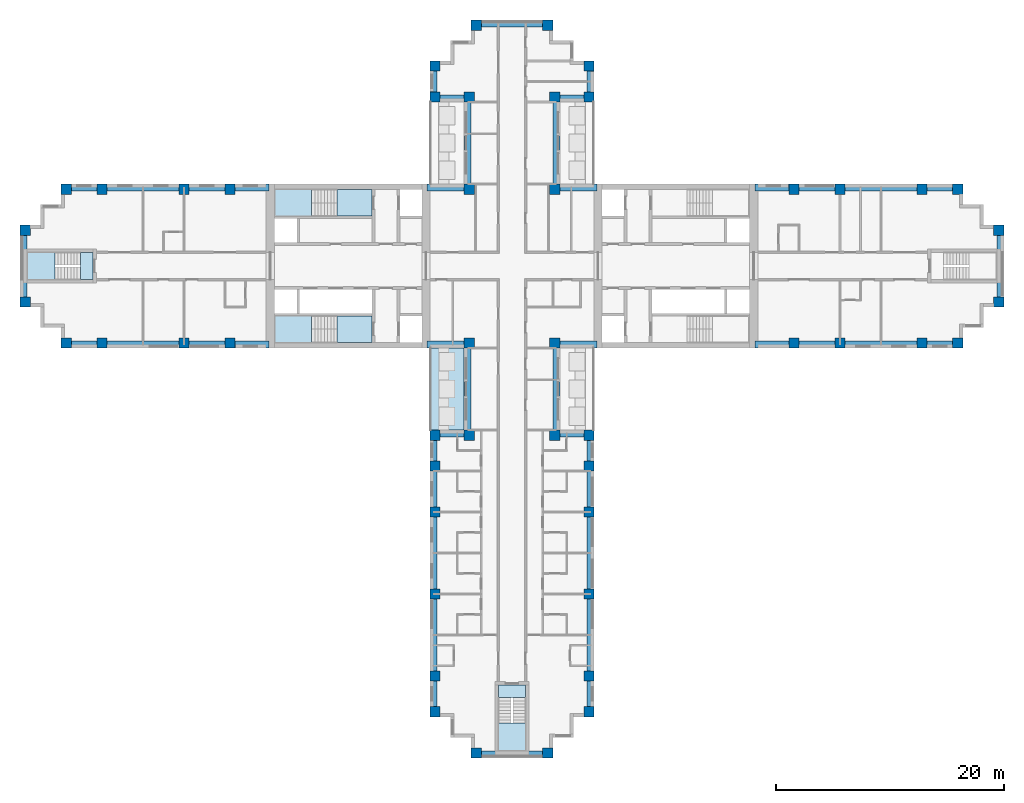
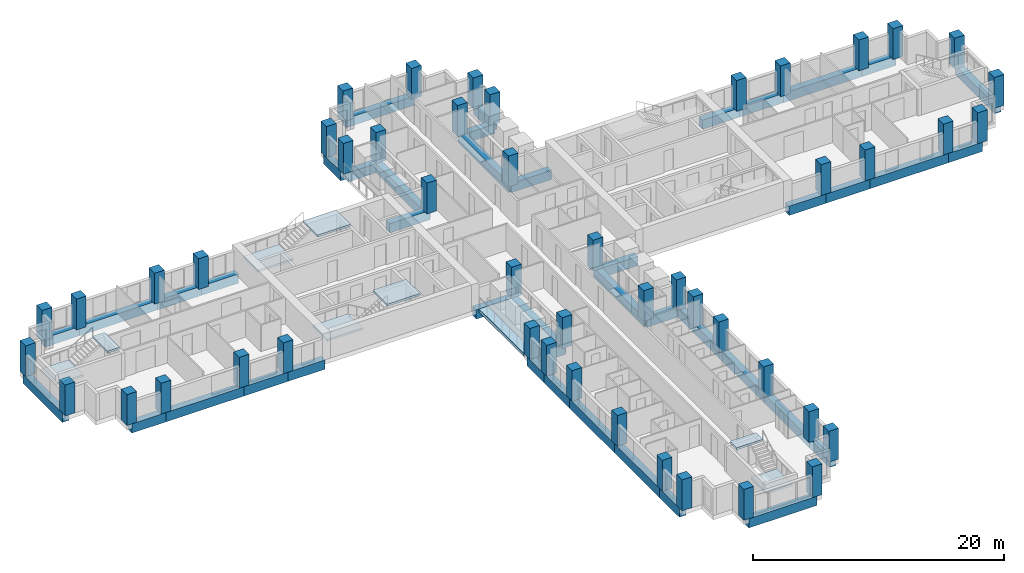
# One storey, part 1 of 14: 48 columns, 44 beams, 9 slabs, 4 elements without a shape of their own.
"""IFC4 building model written with IfcOpenShell, lengths in metres."""

from ifc_helpers import new_model, si_unit, direction, frame, origin, origin_2d, place, context, subcontext, project, spatial, polyline, rectangle, outline, extrude, material, layer, layer_set, material_profile, profile_set, type_object, element, aggregate, save


model = new_model("IFC4")

# Units and contexts
model_context = context("Model", 3, precision=1e-05, world=origin(), true_north=direction((0.0, 1.0)))
body_context = subcontext(model_context, "Body", "Model", "MODEL_VIEW")
ifc_project = project(units=[si_unit("LENGTHUNIT", "METRE"), si_unit("AREAUNIT", "SQUARE_METRE"), si_unit("VOLUMEUNIT", "CUBIC_METRE"), si_unit("PLANEANGLEUNIT", "RADIAN"), si_unit("MASSUNIT", "GRAM", prefix="KILO")], contexts=[model_context])

# Site, building, storey
site_placement = place(None, origin())
site = spatial("IfcSite", under=ifc_project, at=site_placement, CompositionType="ELEMENT")
building_placement = place(site_placement, origin())
building = spatial("IfcBuilding", under=site, at=building_placement, Name="Fustian Cross Tower", CompositionType="ELEMENT")
storey_placement = place(building_placement, frame((0.0, 0.0, 96.89990234375)))
storey = spatial("IfcBuildingStorey", under=building, at=storey_placement, Name="L30", CompositionType="ELEMENT", Elevation=96.89990234375)

# Columns
ifc_material_1 = material(Name="Concrete C60/75", Category="concrete")
ifc_material_profile_1 = material_profile(ifc_material_1, rectangle(XDim=0.89990234375, YDim=0.89990234375, at=origin_2d()), Name="RC 900x900")
ifc_profile_set_1 = profile_set([ifc_material_profile_1], Name="Concrete C60/75")
column_type = type_object("IfcColumnType", Name="COLUMN RC 900x900 C60/75", PredefinedType="COLUMN", material=ifc_profile_set_1)
for number, where, z_axis, x_axis, name in (
    (1, (-42.75, -3.14990234375, 0.0), (0.0, 0.0, 1.0), (1.0, 0.0, 0.0), "COLUMN 001"),
    (2, (-42.75, 3.14990234375, 0.0), (0.0, 0.0, 1.0), (1.0, 0.0, 0.0), "COLUMN 002"),
    (3, (-39.14990234375, -6.75, 0.0), (0.0, 0.0, 1.0), (1.0, 0.0, 0.0), "COLUMN 003"),
    (4, (-39.14990234375, 6.75, 0.0), (0.0, 0.0, 1.0), (1.0, 0.0, 0.0), "COLUMN 004"),
    (5, (-36.0, -6.75, 0.0), (0.0, 0.0, 1.0), (1.0, 0.0, 0.0), "COLUMN 005"),
    (6, (-36.0, 6.75, 0.0), (0.0, 0.0, 1.0), (1.0, 0.0, 0.0), "COLUMN 006"),
    (7, (-28.800048828125, -6.75, 0.0), (0.0, 0.0, 1.0), (1.0, 0.0, 0.0), "COLUMN 007"),
    (8, (-28.800048828125, 6.75, 0.0), (0.0, 0.0, 1.0), (1.0, 0.0, 0.0), "COLUMN 010"),
    (9, (-24.75, -6.75, 0.0), (0.0, 0.0, 1.0), (1.0, 0.0, 0.0), "COLUMN 011"),
    (10, (-24.75, 6.75, 0.0), (0.0, 0.0, 1.0), (1.0, 0.0, 0.0), "COLUMN 012"),
    (11, (-6.75, -39.14990234375, 0.0), (0.0, 0.0, 1.0), (1.0, 0.0, 0.0), "COLUMN 013"),
    (12, (-6.75, -36.0, 0.0), (0.0, 0.0, 1.0), (1.0, 0.0, 0.0), "COLUMN 014"),
    (13, (-6.75, -28.800048828125, 0.0), (0.0, 0.0, 1.0), (1.0, 0.0, 0.0), "COLUMN 015"),
    (14, (-6.75, -21.60009765625, 0.0), (0.0, 0.0, 1.0), (1.0, 0.0, 0.0), "COLUMN 016"),
    (15, (-6.75, -17.550048828125, 0.0), (0.0, 0.0, 1.0), (1.0, 0.0, 0.0), "COLUMN 017"),
    (16, (-6.75, -14.85009765625, 0.0), (0.0, 0.0, 1.0), (1.0, 0.0, 0.0), "COLUMN 018"),
    (17, (-6.75, 14.85009765625, 0.0), (0.0, 0.0, 1.0), (1.0, 0.0, 0.0), "COLUMN 019"),
    (18, (-6.75, 17.550048828125, 0.0), (0.0, 0.0, 1.0), (1.0, 0.0, 0.0), "COLUMN 020"),
    (19, (-3.75, -14.85009765625, 0.0), (0.0, 0.0, 1.0), (1.0, 0.0, 0.0), "COLUMN 025"),
    (20, (-3.75, -6.75, 0.0), (0.0, 0.0, 1.0), (1.0, 0.0, 0.0), "COLUMN 026"),
    (21, (-3.75, 6.75, 0.0), (0.0, 0.0, 1.0), (1.0, 0.0, 0.0), "COLUMN 027"),
    (22, (-3.75, 14.85009765625, 0.0), (0.0, 0.0, 1.0), (1.0, 0.0, 0.0), "COLUMN 028"),
    (23, (-3.14990234375, -42.75, 0.0), (0.0, 0.0, 1.0), (1.0, 0.0, 0.0), "COLUMN 029"),
    (24, (-3.14990234375, 21.14990234375, 0.0), (0.0, 0.0, 1.0), (1.0, 0.0, 0.0), "COLUMN 031"),
    (25, (3.14990234375, -42.75, 0.0), (0.0, 0.0, 1.0), (1.0, 0.0, 0.0), "COLUMN 033"),
    (26, (3.14990234375, 21.14990234375, 0.0), (0.0, 0.0, 1.0), (1.0, 0.0, 0.0), "COLUMN 035"),
    (27, (3.75, -14.85009765625, 0.0), (0.0, 0.0, 1.0), (1.0, 0.0, 0.0), "COLUMN 037"),
    (28, (3.75, -6.75, 0.0), (0.0, 0.0, 1.0), (1.0, 0.0, 0.0), "COLUMN 038"),
    (29, (3.75, 6.75, 0.0), (0.0, 0.0, 1.0), (1.0, 0.0, 0.0), "COLUMN 039"),
    (30, (3.75, 14.85009765625, 0.0), (0.0, 0.0, 1.0), (1.0, 0.0, 0.0), "COLUMN 040"),
    (31, (6.75, -39.14990234375, 0.0), (0.0, 0.0, 1.0), (1.0, 0.0, 0.0), "COLUMN 041"),
    (32, (6.75, -36.0, 0.0), (0.0, 0.0, 1.0), (1.0, 0.0, 0.0), "COLUMN 042"),
    (33, (6.75, -28.800048828125, 0.0), (0.0, 0.0, 1.0), (1.0, 0.0, 0.0), "COLUMN 043"),
    (34, (6.75, -21.60009765625, 0.0), (0.0, 0.0, 1.0), (1.0, 0.0, 0.0), "COLUMN 044"),
    (35, (6.75, -17.550048828125, 0.0), (0.0, 0.0, 1.0), (1.0, 0.0, 0.0), "COLUMN 045"),
    (36, (6.75, -14.85009765625, 0.0), (0.0, 0.0, 1.0), (1.0, 0.0, 0.0), "COLUMN 046"),
    (37, (6.75, 14.85009765625, 0.0), (0.0, 0.0, 1.0), (1.0, 0.0, 0.0), "COLUMN 047"),
    (38, (6.75, 17.550048828125, 0.0), (0.0, 0.0, 1.0), (1.0, 0.0, 0.0), "COLUMN 048"),
    (39, (24.75, -6.75, 0.0), (0.0, 0.0, 1.0), (1.0, 0.0, 0.0), "COLUMN 053"),
    (40, (24.75, 6.75, 0.0), (0.0, 0.0, 1.0), (1.0, 0.0, 0.0), "COLUMN 054"),
    (41, (28.800048828125, -6.75, 0.0), (0.0, 0.0, 1.0), (1.0, 0.0, 0.0), "COLUMN 055"),
    (42, (28.800048828125, 6.75, 0.0), (0.0, 0.0, 1.0), (1.0, 0.0, 0.0), "COLUMN 058"),
    (43, (36.0, -6.75, 0.0), (0.0, 0.0, 1.0), (1.0, 0.0, 0.0), "COLUMN 059"),
    (44, (36.0, 6.75, 0.0), (0.0, 0.0, 1.0), (1.0, 0.0, 0.0), "COLUMN 060"),
    (45, (39.14990234375, -6.75, 0.0), (0.0, 0.0, 1.0), (1.0, 0.0, 0.0), "COLUMN 061"),
    (46, (39.14990234375, 6.75, 0.0), (0.0, 0.0, 1.0), (1.0, 0.0, 0.0), "COLUMN 062"),
    (47, (42.75, -3.14990234375, 0.0), (0.0, 0.0, 1.0), (1.0, 0.0, 0.0), "COLUMN 063"),
    (48, (42.75, 3.14990234375, 0.0), (0.0, 0.0, 1.0), (1.0, 0.0, 0.0), "COLUMN 064"),
):
    element("IfcColumn", number, at=place(storey_placement, frame(where, z_axis=z_axis, x_axis=x_axis)), inside=storey, type_object=column_type, Name=name, PredefinedType="COLUMN", context=body_context, shape_type="SweptSolid", body=[
        extrude(rectangle(XDim=0.89990234375, YDim=0.89990234375, at=origin_2d()), origin(), (0.0, 0.0, 1.0), 3.0),
    ])

# Beams
ifc_material_2 = material(Name="Concrete C50/60", Category="concrete")
ifc_material_profile_2 = material_profile(ifc_material_2, rectangle(XDim=0.60009765625, YDim=0.89990234375, at=origin_2d()), Name="RC 600x900")
ifc_profile_set_2 = profile_set([ifc_material_profile_2], Name="Concrete C50/60")
beam_type = type_object("IfcBeamType", Name="EDGE BEAM RC 600x900 C50/60", PredefinedType="SPANDREL", material=ifc_profile_set_2)
beam_1_placement = place(storey_placement, frame((21.35009765625, -6.89990234375, -0.449951171875), z_axis=(1.0, 0.0, 0.0), x_axis=(0.0, 1.0, 0.0)))
element("IfcBeam", 49, at=beam_1_placement, inside=storey, type_object=beam_type, Name="EDGE BEAM L30-01", PredefinedType="SPANDREL", context=body_context, shape_type="SweptSolid", body=[
    extrude(rectangle(XDim=0.60009765625, YDim=0.89990234375, at=origin_2d()), origin(), (0.0, 0.0, 1.0), 3.39990234375),
])
beam_2_placement = place(storey_placement, frame((24.75, -6.89990234375, -0.449951171875), z_axis=(1.0, 0.0, 0.0), x_axis=(0.0, 1.0, 0.0)))
element("IfcBeam", 50, at=beam_2_placement, inside=storey, type_object=beam_type, Name="EDGE BEAM L30-02", PredefinedType="SPANDREL", context=body_context, shape_type="SweptSolid", body=[
    extrude(rectangle(XDim=0.60009765625, YDim=0.89990234375, at=origin_2d()), origin(), (0.0, 0.0, 1.0), 4.050048828125),
])
beam_3_placement = place(storey_placement, frame((28.800048828125, -6.89990234375, -0.449951171875), z_axis=(1.0, 0.0, 0.0), x_axis=(0.0, 1.0, 0.0)))
element("IfcBeam", 51, at=beam_3_placement, inside=storey, type_object=beam_type, Name="EDGE BEAM L30-03", PredefinedType="SPANDREL", context=body_context, shape_type="SweptSolid", body=[
    extrude(rectangle(XDim=0.60009765625, YDim=0.89990234375, at=origin_2d()), origin(), (0.0, 0.0, 1.0), 7.199951171875),
])
beam_4_placement = place(storey_placement, frame((36.0, -6.89990234375, -0.449951171875), z_axis=(1.0, 0.0, 0.0), x_axis=(0.0, 1.0, 0.0)))
element("IfcBeam", 52, at=beam_4_placement, inside=storey, type_object=beam_type, Name="EDGE BEAM L30-04", PredefinedType="SPANDREL", context=body_context, shape_type="SweptSolid", body=[
    extrude(rectangle(XDim=0.60009765625, YDim=0.89990234375, at=origin_2d()), origin(), (0.0, 0.0, 1.0), 3.14990234375),
])
beam_5_placement = place(storey_placement, frame((42.89990234375, -3.14990234375, -0.449951171875), z_axis=(0.0, 1.0, 0.0), x_axis=(-1.0, 0.0, 0.0)))
element("IfcBeam", 53, at=beam_5_placement, inside=storey, type_object=beam_type, Name="EDGE BEAM L30-05", PredefinedType="SPANDREL", context=body_context, shape_type="SweptSolid", body=[
    extrude(rectangle(XDim=0.60009765625, YDim=0.89990234375, at=origin_2d()), origin(), (0.0, 0.0, 1.0), 6.2998046875),
])
beam_6_placement = place(storey_placement, frame((39.14990234375, 6.89990234375, -0.449951171875), z_axis=(-1.0, 0.0, 0.0), x_axis=(0.0, -1.0, 0.0)))
element("IfcBeam", 54, at=beam_6_placement, inside=storey, type_object=beam_type, Name="EDGE BEAM L30-06", PredefinedType="SPANDREL", context=body_context, shape_type="SweptSolid", body=[
    extrude(rectangle(XDim=0.60009765625, YDim=0.89990234375, at=origin_2d()), origin(), (0.0, 0.0, 1.0), 3.14990234375),
])
beam_7_placement = place(storey_placement, frame((36.0, 6.89990234375, -0.449951171875), z_axis=(-1.0, 0.0, 0.0), x_axis=(0.0, -1.0, 0.0)))
element("IfcBeam", 55, at=beam_7_placement, inside=storey, type_object=beam_type, Name="EDGE BEAM L30-07", PredefinedType="SPANDREL", context=body_context, shape_type="SweptSolid", body=[
    extrude(rectangle(XDim=0.60009765625, YDim=0.89990234375, at=origin_2d()), origin(), (0.0, 0.0, 1.0), 7.199951171875),
])
beam_8_placement = place(storey_placement, frame((28.800048828125, 6.89990234375, -0.449951171875), z_axis=(-1.0, 0.0, 0.0), x_axis=(0.0, -1.0, 0.0)))
element("IfcBeam", 56, at=beam_8_placement, inside=storey, type_object=beam_type, Name="EDGE BEAM L30-08", PredefinedType="SPANDREL", context=body_context, shape_type="SweptSolid", body=[
    extrude(rectangle(XDim=0.60009765625, YDim=0.89990234375, at=origin_2d()), origin(), (0.0, 0.0, 1.0), 4.050048828125),
])
beam_9_placement = place(storey_placement, frame((24.75, 6.89990234375, -0.449951171875), z_axis=(-1.0, 0.0, 0.0), x_axis=(0.0, -1.0, 0.0)))
element("IfcBeam", 57, at=beam_9_placement, inside=storey, type_object=beam_type, Name="EDGE BEAM L30-09", PredefinedType="SPANDREL", context=body_context, shape_type="SweptSolid", body=[
    extrude(rectangle(XDim=0.60009765625, YDim=0.89990234375, at=origin_2d()), origin(), (0.0, 0.0, 1.0), 3.39990234375),
])
beam_10_placement = place(storey_placement, frame((7.449951171875, 6.89990234375, -0.449951171875), z_axis=(-1.0, 0.0, 0.0), x_axis=(0.0, -1.0, 0.0)))
element("IfcBeam", 58, at=beam_10_placement, inside=storey, type_object=beam_type, Name="EDGE BEAM L30-10", PredefinedType="SPANDREL", context=body_context, shape_type="SweptSolid", body=[
    extrude(rectangle(XDim=0.60009765625, YDim=0.89990234375, at=origin_2d()), origin(), (0.0, 0.0, 1.0), 3.699951171875),
])
beam_11_placement = place(storey_placement, frame((3.89990234375, 6.75, -0.449951171875), z_axis=(0.0, 1.0, 0.0), x_axis=(-1.0, 0.0, 0.0)))
element("IfcBeam", 59, at=beam_11_placement, inside=storey, type_object=beam_type, Name="EDGE BEAM L30-11", PredefinedType="SPANDREL", context=body_context, shape_type="SweptSolid", body=[
    extrude(rectangle(XDim=0.60009765625, YDim=0.89990234375, at=origin_2d()), origin(), (0.0, 0.0, 1.0), 8.10009765625),
])
beam_12_placement = place(storey_placement, frame((3.75, 14.699951171875, -0.449951171875), z_axis=(1.0, 0.0, 0.0), x_axis=(0.0, 1.0, 0.0)))
element("IfcBeam", 60, at=beam_12_placement, inside=storey, type_object=beam_type, Name="EDGE BEAM L30-12", PredefinedType="SPANDREL", context=body_context, shape_type="SweptSolid", body=[
    extrude(rectangle(XDim=0.60009765625, YDim=0.89990234375, at=origin_2d()), origin(), (0.0, 0.0, 1.0), 3.0),
])
beam_13_placement = place(storey_placement, frame((6.89990234375, 14.85009765625, -0.449951171875), z_axis=(0.0, 1.0, 0.0), x_axis=(-1.0, 0.0, 0.0)))
element("IfcBeam", 61, at=beam_13_placement, inside=storey, type_object=beam_type, Name="EDGE BEAM L30-13", PredefinedType="SPANDREL", context=body_context, shape_type="SweptSolid", body=[
    extrude(rectangle(XDim=0.60009765625, YDim=0.89990234375, at=origin_2d()), origin(), (0.0, 0.0, 1.0), 2.699951171875),
])
beam_14_placement = place(storey_placement, frame((3.14990234375, 21.300048828125, -0.449951171875), z_axis=(-1.0, 0.0, 0.0), x_axis=(0.0, -1.0, 0.0)))
element("IfcBeam", 62, at=beam_14_placement, inside=storey, type_object=beam_type, Name="EDGE BEAM L30-14", PredefinedType="SPANDREL", context=body_context, shape_type="SweptSolid", body=[
    extrude(rectangle(XDim=0.60009765625, YDim=0.89990234375, at=origin_2d()), origin(), (0.0, 0.0, 1.0), 6.2998046875),
])
beam_15_placement = place(storey_placement, frame((-6.89990234375, 17.550048828125, -0.449951171875), z_axis=(0.0, -1.0, 0.0), x_axis=(1.0, 0.0, 0.0)))
element("IfcBeam", 63, at=beam_15_placement, inside=storey, type_object=beam_type, Name="EDGE BEAM L30-15", PredefinedType="SPANDREL", context=body_context, shape_type="SweptSolid", body=[
    extrude(rectangle(XDim=0.60009765625, YDim=0.89990234375, at=origin_2d()), origin(), (0.0, 0.0, 1.0), 2.699951171875),
])
beam_16_placement = place(storey_placement, frame((-6.75, 14.699951171875, -0.449951171875), z_axis=(1.0, 0.0, 0.0), x_axis=(0.0, 1.0, 0.0)))
element("IfcBeam", 64, at=beam_16_placement, inside=storey, type_object=beam_type, Name="EDGE BEAM L30-16", PredefinedType="SPANDREL", context=body_context, shape_type="SweptSolid", body=[
    extrude(rectangle(XDim=0.60009765625, YDim=0.89990234375, at=origin_2d()), origin(), (0.0, 0.0, 1.0), 3.0),
])
beam_17_placement = place(storey_placement, frame((-3.89990234375, 14.85009765625, -0.449951171875), z_axis=(0.0, -1.0, 0.0), x_axis=(1.0, 0.0, 0.0)))
element("IfcBeam", 65, at=beam_17_placement, inside=storey, type_object=beam_type, Name="EDGE BEAM L30-17", PredefinedType="SPANDREL", context=body_context, shape_type="SweptSolid", body=[
    extrude(rectangle(XDim=0.60009765625, YDim=0.89990234375, at=origin_2d()), origin(), (0.0, 0.0, 1.0), 8.10009765625),
])
beam_18_placement = place(storey_placement, frame((-3.75, 6.89990234375, -0.449951171875), z_axis=(-1.0, 0.0, 0.0), x_axis=(0.0, -1.0, 0.0)))
element("IfcBeam", 66, at=beam_18_placement, inside=storey, type_object=beam_type, Name="EDGE BEAM L30-18", PredefinedType="SPANDREL", context=body_context, shape_type="SweptSolid", body=[
    extrude(rectangle(XDim=0.60009765625, YDim=0.89990234375, at=origin_2d()), origin(), (0.0, 0.0, 1.0), 3.699951171875),
])
beam_19_placement = place(storey_placement, frame((-21.35009765625, 6.89990234375, -0.449951171875), z_axis=(-1.0, 0.0, 0.0), x_axis=(0.0, -1.0, 0.0)))
element("IfcBeam", 67, at=beam_19_placement, inside=storey, type_object=beam_type, Name="EDGE BEAM L30-19", PredefinedType="SPANDREL", context=body_context, shape_type="SweptSolid", body=[
    extrude(rectangle(XDim=0.60009765625, YDim=0.89990234375, at=origin_2d()), origin(), (0.0, 0.0, 1.0), 3.39990234375),
])
beam_20_placement = place(storey_placement, frame((-24.75, 6.89990234375, -0.449951171875), z_axis=(-1.0, 0.0, 0.0), x_axis=(0.0, -1.0, 0.0)))
element("IfcBeam", 68, at=beam_20_placement, inside=storey, type_object=beam_type, Name="EDGE BEAM L30-20", PredefinedType="SPANDREL", context=body_context, shape_type="SweptSolid", body=[
    extrude(rectangle(XDim=0.60009765625, YDim=0.89990234375, at=origin_2d()), origin(), (0.0, 0.0, 1.0), 4.050048828125),
])
beam_21_placement = place(storey_placement, frame((-28.800048828125, 6.89990234375, -0.449951171875), z_axis=(-1.0, 0.0, 0.0), x_axis=(0.0, -1.0, 0.0)))
element("IfcBeam", 69, at=beam_21_placement, inside=storey, type_object=beam_type, Name="EDGE BEAM L30-21", PredefinedType="SPANDREL", context=body_context, shape_type="SweptSolid", body=[
    extrude(rectangle(XDim=0.60009765625, YDim=0.89990234375, at=origin_2d()), origin(), (0.0, 0.0, 1.0), 7.199951171875),
])
beam_22_placement = place(storey_placement, frame((-36.0, 6.89990234375, -0.449951171875), z_axis=(-1.0, 0.0, 0.0), x_axis=(0.0, -1.0, 0.0)))
element("IfcBeam", 70, at=beam_22_placement, inside=storey, type_object=beam_type, Name="EDGE BEAM L30-22", PredefinedType="SPANDREL", context=body_context, shape_type="SweptSolid", body=[
    extrude(rectangle(XDim=0.60009765625, YDim=0.89990234375, at=origin_2d()), origin(), (0.0, 0.0, 1.0), 3.14990234375),
])
beam_23_placement = place(storey_placement, frame((-42.89990234375, 3.14990234375, -0.449951171875), z_axis=(0.0, -1.0, 0.0), x_axis=(1.0, 0.0, 0.0)))
element("IfcBeam", 71, at=beam_23_placement, inside=storey, type_object=beam_type, Name="EDGE BEAM L30-23", PredefinedType="SPANDREL", context=body_context, shape_type="SweptSolid", body=[
    extrude(rectangle(XDim=0.60009765625, YDim=0.89990234375, at=origin_2d()), origin(), (0.0, 0.0, 1.0), 6.2998046875),
])
beam_24_placement = place(storey_placement, frame((-39.14990234375, -6.89990234375, -0.449951171875), z_axis=(1.0, 0.0, 0.0), x_axis=(0.0, 1.0, 0.0)))
element("IfcBeam", 72, at=beam_24_placement, inside=storey, type_object=beam_type, Name="EDGE BEAM L30-24", PredefinedType="SPANDREL", context=body_context, shape_type="SweptSolid", body=[
    extrude(rectangle(XDim=0.60009765625, YDim=0.89990234375, at=origin_2d()), origin(), (0.0, 0.0, 1.0), 3.14990234375),
])
beam_25_placement = place(storey_placement, frame((-36.0, -6.89990234375, -0.449951171875), z_axis=(1.0, 0.0, 0.0), x_axis=(0.0, 1.0, 0.0)))
element("IfcBeam", 73, at=beam_25_placement, inside=storey, type_object=beam_type, Name="EDGE BEAM L30-25", PredefinedType="SPANDREL", context=body_context, shape_type="SweptSolid", body=[
    extrude(rectangle(XDim=0.60009765625, YDim=0.89990234375, at=origin_2d()), origin(), (0.0, 0.0, 1.0), 7.199951171875),
])
beam_26_placement = place(storey_placement, frame((-28.800048828125, -6.89990234375, -0.449951171875), z_axis=(1.0, 0.0, 0.0), x_axis=(0.0, 1.0, 0.0)))
element("IfcBeam", 74, at=beam_26_placement, inside=storey, type_object=beam_type, Name="EDGE BEAM L30-26", PredefinedType="SPANDREL", context=body_context, shape_type="SweptSolid", body=[
    extrude(rectangle(XDim=0.60009765625, YDim=0.89990234375, at=origin_2d()), origin(), (0.0, 0.0, 1.0), 4.050048828125),
])
beam_27_placement = place(storey_placement, frame((-24.75, -6.89990234375, -0.449951171875), z_axis=(1.0, 0.0, 0.0), x_axis=(0.0, 1.0, 0.0)))
element("IfcBeam", 75, at=beam_27_placement, inside=storey, type_object=beam_type, Name="EDGE BEAM L30-27", PredefinedType="SPANDREL", context=body_context, shape_type="SweptSolid", body=[
    extrude(rectangle(XDim=0.60009765625, YDim=0.89990234375, at=origin_2d()), origin(), (0.0, 0.0, 1.0), 3.39990234375),
])
beam_28_placement = place(storey_placement, frame((-7.449951171875, -6.89990234375, -0.449951171875), z_axis=(1.0, 0.0, 0.0), x_axis=(0.0, 1.0, 0.0)))
element("IfcBeam", 76, at=beam_28_placement, inside=storey, type_object=beam_type, Name="EDGE BEAM L30-28", PredefinedType="SPANDREL", context=body_context, shape_type="SweptSolid", body=[
    extrude(rectangle(XDim=0.60009765625, YDim=0.89990234375, at=origin_2d()), origin(), (0.0, 0.0, 1.0), 3.699951171875),
])
beam_29_placement = place(storey_placement, frame((-3.89990234375, -6.75, -0.449951171875), z_axis=(0.0, -1.0, 0.0), x_axis=(1.0, 0.0, 0.0)))
element("IfcBeam", 77, at=beam_29_placement, inside=storey, type_object=beam_type, Name="EDGE BEAM L30-29", PredefinedType="SPANDREL", context=body_context, shape_type="SweptSolid", body=[
    extrude(rectangle(XDim=0.60009765625, YDim=0.89990234375, at=origin_2d()), origin(), (0.0, 0.0, 1.0), 8.10009765625),
])
beam_30_placement = place(storey_placement, frame((-3.75, -14.699951171875, -0.449951171875), z_axis=(-1.0, 0.0, 0.0), x_axis=(0.0, -1.0, 0.0)))
element("IfcBeam", 78, at=beam_30_placement, inside=storey, type_object=beam_type, Name="EDGE BEAM L30-30", PredefinedType="SPANDREL", context=body_context, shape_type="SweptSolid", body=[
    extrude(rectangle(XDim=0.60009765625, YDim=0.89990234375, at=origin_2d()), origin(), (0.0, 0.0, 1.0), 3.0),
])
beam_31_placement = place(storey_placement, frame((-6.89990234375, -14.85009765625, -0.449951171875), z_axis=(0.0, -1.0, 0.0), x_axis=(1.0, 0.0, 0.0)))
element("IfcBeam", 79, at=beam_31_placement, inside=storey, type_object=beam_type, Name="EDGE BEAM L30-31", PredefinedType="SPANDREL", context=body_context, shape_type="SweptSolid", body=[
    extrude(rectangle(XDim=0.60009765625, YDim=0.89990234375, at=origin_2d()), origin(), (0.0, 0.0, 1.0), 2.699951171875),
])
beam_32_placement = place(storey_placement, frame((-6.89990234375, -17.550048828125, -0.449951171875), z_axis=(0.0, -1.0, 0.0), x_axis=(1.0, 0.0, 0.0)))
element("IfcBeam", 80, at=beam_32_placement, inside=storey, type_object=beam_type, Name="EDGE BEAM L30-32", PredefinedType="SPANDREL", context=body_context, shape_type="SweptSolid", body=[
    extrude(rectangle(XDim=0.60009765625, YDim=0.89990234375, at=origin_2d()), origin(), (0.0, 0.0, 1.0), 4.050048828125),
])
for number, where, z_axis, x_axis, name in (
    (81, (-6.89990234375, -21.60009765625, -0.449951171875), (0.0, -1.0, 0.0), (1.0, 0.0, 0.0), "EDGE BEAM L30-33"),
    (82, (-6.89990234375, -28.800048828125, -0.449951171875), (0.0, -1.0, 0.0), (1.0, 0.0, 0.0), "EDGE BEAM L30-34"),
):
    element("IfcBeam", number, at=place(storey_placement, frame(where, z_axis=z_axis, x_axis=x_axis)), inside=storey, type_object=beam_type, Name=name, PredefinedType="SPANDREL", context=body_context, shape_type="SweptSolid", body=[
        extrude(rectangle(XDim=0.60009765625, YDim=0.89990234375, at=origin_2d()), origin(), (0.0, 0.0, 1.0), 7.199951171875),
    ])
beam_33_placement = place(storey_placement, frame((-6.89990234375, -36.0, -0.449951171875), z_axis=(0.0, -1.0, 0.0), x_axis=(1.0, 0.0, 0.0)))
element("IfcBeam", 83, at=beam_33_placement, inside=storey, type_object=beam_type, Name="EDGE BEAM L30-35", PredefinedType="SPANDREL", context=body_context, shape_type="SweptSolid", body=[
    extrude(rectangle(XDim=0.60009765625, YDim=0.89990234375, at=origin_2d()), origin(), (0.0, 0.0, 1.0), 3.14990234375),
])
beam_34_placement = place(storey_placement, frame((-3.14990234375, -42.89990234375, -0.449951171875), z_axis=(1.0, 0.0, 0.0), x_axis=(0.0, 1.0, 0.0)))
element("IfcBeam", 84, at=beam_34_placement, inside=storey, type_object=beam_type, Name="EDGE BEAM L30-36", PredefinedType="SPANDREL", context=body_context, shape_type="SweptSolid", body=[
    extrude(rectangle(XDim=0.60009765625, YDim=0.89990234375, at=origin_2d()), origin(), (0.0, 0.0, 1.0), 6.2998046875),
])
beam_35_placement = place(storey_placement, frame((6.89990234375, -39.14990234375, -0.449951171875), z_axis=(0.0, 1.0, 0.0), x_axis=(-1.0, 0.0, 0.0)))
element("IfcBeam", 85, at=beam_35_placement, inside=storey, type_object=beam_type, Name="EDGE BEAM L30-37", PredefinedType="SPANDREL", context=body_context, shape_type="SweptSolid", body=[
    extrude(rectangle(XDim=0.60009765625, YDim=0.89990234375, at=origin_2d()), origin(), (0.0, 0.0, 1.0), 3.14990234375),
])
for number, where, z_axis, x_axis, name in (
    (86, (6.89990234375, -36.0, -0.449951171875), (0.0, 1.0, 0.0), (-1.0, 0.0, 0.0), "EDGE BEAM L30-38"),
    (87, (6.89990234375, -28.800048828125, -0.449951171875), (0.0, 1.0, 0.0), (-1.0, 0.0, 0.0), "EDGE BEAM L30-39"),
):
    element("IfcBeam", number, at=place(storey_placement, frame(where, z_axis=z_axis, x_axis=x_axis)), inside=storey, type_object=beam_type, Name=name, PredefinedType="SPANDREL", context=body_context, shape_type="SweptSolid", body=[
        extrude(rectangle(XDim=0.60009765625, YDim=0.89990234375, at=origin_2d()), origin(), (0.0, 0.0, 1.0), 7.199951171875),
    ])
beam_36_placement = place(storey_placement, frame((6.89990234375, -21.60009765625, -0.449951171875), z_axis=(0.0, 1.0, 0.0), x_axis=(-1.0, 0.0, 0.0)))
element("IfcBeam", 88, at=beam_36_placement, inside=storey, type_object=beam_type, Name="EDGE BEAM L30-40", PredefinedType="SPANDREL", context=body_context, shape_type="SweptSolid", body=[
    extrude(rectangle(XDim=0.60009765625, YDim=0.89990234375, at=origin_2d()), origin(), (0.0, 0.0, 1.0), 4.050048828125),
])
beam_37_placement = place(storey_placement, frame((6.89990234375, -17.550048828125, -0.449951171875), z_axis=(0.0, 1.0, 0.0), x_axis=(-1.0, 0.0, 0.0)))
element("IfcBeam", 89, at=beam_37_placement, inside=storey, type_object=beam_type, Name="EDGE BEAM L30-41", PredefinedType="SPANDREL", context=body_context, shape_type="SweptSolid", body=[
    extrude(rectangle(XDim=0.60009765625, YDim=0.89990234375, at=origin_2d()), origin(), (0.0, 0.0, 1.0), 2.699951171875),
])
beam_38_placement = place(storey_placement, frame((6.75, -14.699951171875, -0.449951171875), z_axis=(-1.0, 0.0, 0.0), x_axis=(0.0, -1.0, 0.0)))
element("IfcBeam", 90, at=beam_38_placement, inside=storey, type_object=beam_type, Name="EDGE BEAM L30-42", PredefinedType="SPANDREL", context=body_context, shape_type="SweptSolid", body=[
    extrude(rectangle(XDim=0.60009765625, YDim=0.89990234375, at=origin_2d()), origin(), (0.0, 0.0, 1.0), 3.0),
])
beam_39_placement = place(storey_placement, frame((3.89990234375, -14.85009765625, -0.449951171875), z_axis=(0.0, 1.0, 0.0), x_axis=(-1.0, 0.0, 0.0)))
element("IfcBeam", 91, at=beam_39_placement, inside=storey, type_object=beam_type, Name="EDGE BEAM L30-43", PredefinedType="SPANDREL", context=body_context, shape_type="SweptSolid", body=[
    extrude(rectangle(XDim=0.60009765625, YDim=0.89990234375, at=origin_2d()), origin(), (0.0, 0.0, 1.0), 8.10009765625),
])
beam_40_placement = place(storey_placement, frame((3.75, -6.89990234375, -0.449951171875), z_axis=(1.0, 0.0, 0.0), x_axis=(0.0, 1.0, 0.0)))
element("IfcBeam", 92, at=beam_40_placement, inside=storey, type_object=beam_type, Name="EDGE BEAM L30-44", PredefinedType="SPANDREL", context=body_context, shape_type="SweptSolid", body=[
    extrude(rectangle(XDim=0.60009765625, YDim=0.89990234375, at=origin_2d()), origin(), (0.0, 0.0, 1.0), 3.699951171875),
])

# Slab
ifc_material_3 = material(Name="Concrete C40/50", Category="concrete")
ifc_layer_1 = layer(ifc_material_3, 0.300048828125)
ifc_layer_set_1 = layer_set([ifc_layer_1], Name="Concrete C40/50")
slab_type_1 = type_object("IfcSlabType", Name="BS1 BALCONY SLAB 300", PredefinedType="FLOOR", material=ifc_layer_set_1)
slab_1_placement = place(storey_placement, frame((0.0, 0.0, -0.2998046875)))
element("IfcSlab", 93, at=slab_1_placement, inside=storey, type_object=slab_type_1, Name="Balcony slab", PredefinedType="FLOOR", context=body_context, shape_type="SweptSolid", body=[
    extrude(outline(polyline([(-7.199951171875, -14.39990234375), (-4.199951171875, -14.39990234375), (-4.199951171875, -7.199951171875), (-7.199951171875, -7.199951171875), (-7.199951171875, -14.39990234375)])), origin(), (0.0, 0.0, 1.0), 0.2998046875),
])

# Stair, slabs
ifc_material_4 = material(Name="Concrete C50/60", Category="concrete")
stair_type_1 = type_object("IfcStairType", Name="STAIR 1150 HALF TURN", PredefinedType="HALF_TURN_STAIR", material=ifc_material_4)
stair_1_placement = place(storey_placement, origin())
stair_1 = element("IfcStair", 94, at=stair_1_placement, inside=storey, type_object=stair_type_1, Name="Stair ST3", PredefinedType="HALF_TURN_STAIR")
ifc_material_5 = material(Name="Concrete C50/60", Category="concrete")
ifc_layer_2 = layer(ifc_material_5, 0.199951171875)
ifc_layer_set_2 = layer_set([ifc_layer_2], Name="Concrete C50/60")
slab_type_2 = type_object("IfcSlabType", Name="STAIR LANDING", PredefinedType="LANDING", material=ifc_layer_set_2)
slab_2_placement = place(storey_placement, frame((0.0, 0.0, 1.300048828125)))
slab_2 = element("IfcSlab", 95, at=slab_2_placement, type_object=slab_type_2, Name="ST3 landing 1", PredefinedType="LANDING", context=body_context, shape_type="SweptSolid", body=[
    extrude(outline(polyline([(-17.590087890625, 4.39990234375), (-20.85009765625, 4.39990234375), (-20.85009765625, 6.699951171875), (-17.590087890625, 6.699951171875), (-17.590087890625, 4.39990234375)])), origin(), (0.0, 0.0, 1.0), 0.199951171875),
])
slab_3_placement = place(storey_placement, frame((0.0, 0.0, 2.800048828125)))
slab_3 = element("IfcSlab", 96, at=slab_3_placement, type_object=slab_type_2, Name="ST3 landing 2", PredefinedType="LANDING", context=body_context, shape_type="SweptSolid", body=[
    extrude(outline(polyline([(-12.300048828125, 4.39990234375), (-15.35009765625, 4.39990234375), (-15.35009765625, 6.699951171875), (-12.300048828125, 6.699951171875), (-12.300048828125, 4.39990234375)])), origin(), (0.0, 0.0, 1.0), 0.199951171875),
])
aggregate(stair_1, [slab_2, slab_3])

stair_2_placement = place(storey_placement, origin())
stair_2 = element("IfcStair", 97, at=stair_2_placement, inside=storey, type_object=stair_type_1, Name="Stair ST4", PredefinedType="HALF_TURN_STAIR")
slab_4_placement = place(storey_placement, frame((0.0, 0.0, 1.300048828125)))
slab_4 = element("IfcSlab", 98, at=slab_4_placement, type_object=slab_type_2, Name="ST4 landing 1", PredefinedType="LANDING", context=body_context, shape_type="SweptSolid", body=[
    extrude(outline(polyline([(-17.590087890625, -4.39990234375), (-20.85009765625, -4.39990234375), (-20.85009765625, -6.699951171875), (-17.590087890625, -6.699951171875), (-17.590087890625, -4.39990234375)])), origin(), (0.0, 0.0, 1.0), 0.199951171875),
])
slab_5_placement = place(storey_placement, frame((0.0, 0.0, 2.800048828125)))
slab_5 = element("IfcSlab", 99, at=slab_5_placement, type_object=slab_type_2, Name="ST4 landing 2", PredefinedType="LANDING", context=body_context, shape_type="SweptSolid", body=[
    extrude(outline(polyline([(-12.300048828125, -4.39990234375), (-15.35009765625, -4.39990234375), (-15.35009765625, -6.699951171875), (-12.300048828125, -6.699951171875), (-12.300048828125, -4.39990234375)])), origin(), (0.0, 0.0, 1.0), 0.199951171875),
])
aggregate(stair_2, [slab_4, slab_5])

ifc_material_6 = material(Name="Concrete C50/60", Category="concrete")
stair_type_2 = type_object("IfcStairType", Name="STAIR 1100 HALF TURN", PredefinedType="HALF_TURN_STAIR", material=ifc_material_6)
stair_3_placement = place(storey_placement, origin())
stair_3 = element("IfcStair", 100, at=stair_3_placement, inside=storey, type_object=stair_type_2, Name="Stair ST6", PredefinedType="HALF_TURN_STAIR")
slab_6_placement = place(storey_placement, frame((0.0, 0.0, 1.300048828125)))
slab_6 = element("IfcSlab", 101, at=slab_6_placement, type_object=slab_type_2, Name="ST6 landing 1", PredefinedType="LANDING", context=body_context, shape_type="SweptSolid", body=[
    extrude(outline(polyline([(-1.199951171875, -40.139892578125), (-1.199951171875, -42.60009765625), (1.199951171875, -42.60009765625), (1.199951171875, -40.139892578125), (-1.199951171875, -40.139892578125)])), origin(), (0.0, 0.0, 1.0), 0.199951171875),
])
slab_7_placement = place(storey_placement, frame((0.0, 0.0, 2.800048828125)))
slab_7 = element("IfcSlab", 102, at=slab_7_placement, type_object=slab_type_2, Name="ST6 landing 2", PredefinedType="LANDING", context=body_context, shape_type="SweptSolid", body=[
    extrude(outline(polyline([(-1.199951171875, -36.800048828125), (-1.199951171875, -37.89990234375), (1.199951171875, -37.89990234375), (1.199951171875, -36.800048828125), (-1.199951171875, -36.800048828125)])), origin(), (0.0, 0.0, 1.0), 0.199951171875),
])
aggregate(stair_3, [slab_6, slab_7])

stair_4_placement = place(storey_placement, origin())
stair_4 = element("IfcStair", 103, at=stair_4_placement, inside=storey, type_object=stair_type_2, Name="Stair ST9", PredefinedType="HALF_TURN_STAIR")
slab_8_placement = place(storey_placement, frame((0.0, 0.0, 1.300048828125)))
slab_8 = element("IfcSlab", 104, at=slab_8_placement, type_object=slab_type_2, Name="ST9 landing 1", PredefinedType="LANDING", context=body_context, shape_type="SweptSolid", body=[
    extrude(outline(polyline([(-40.139892578125, -1.199951171875), (-42.60009765625, -1.199951171875), (-42.60009765625, 1.199951171875), (-40.139892578125, 1.199951171875), (-40.139892578125, -1.199951171875)])), origin(), (0.0, 0.0, 1.0), 0.199951171875),
])
slab_9_placement = place(storey_placement, frame((0.0, 0.0, 2.800048828125)))
slab_9 = element("IfcSlab", 105, at=slab_9_placement, type_object=slab_type_2, Name="ST9 landing 2", PredefinedType="LANDING", context=body_context, shape_type="SweptSolid", body=[
    extrude(outline(polyline([(-36.800048828125, -1.199951171875), (-37.89990234375, -1.199951171875), (-37.89990234375, 1.199951171875), (-36.800048828125, 1.199951171875), (-36.800048828125, -1.199951171875)])), origin(), (0.0, 0.0, 1.0), 0.199951171875),
])
aggregate(stair_4, [slab_8, slab_9])

save(model, "model.ifc")
